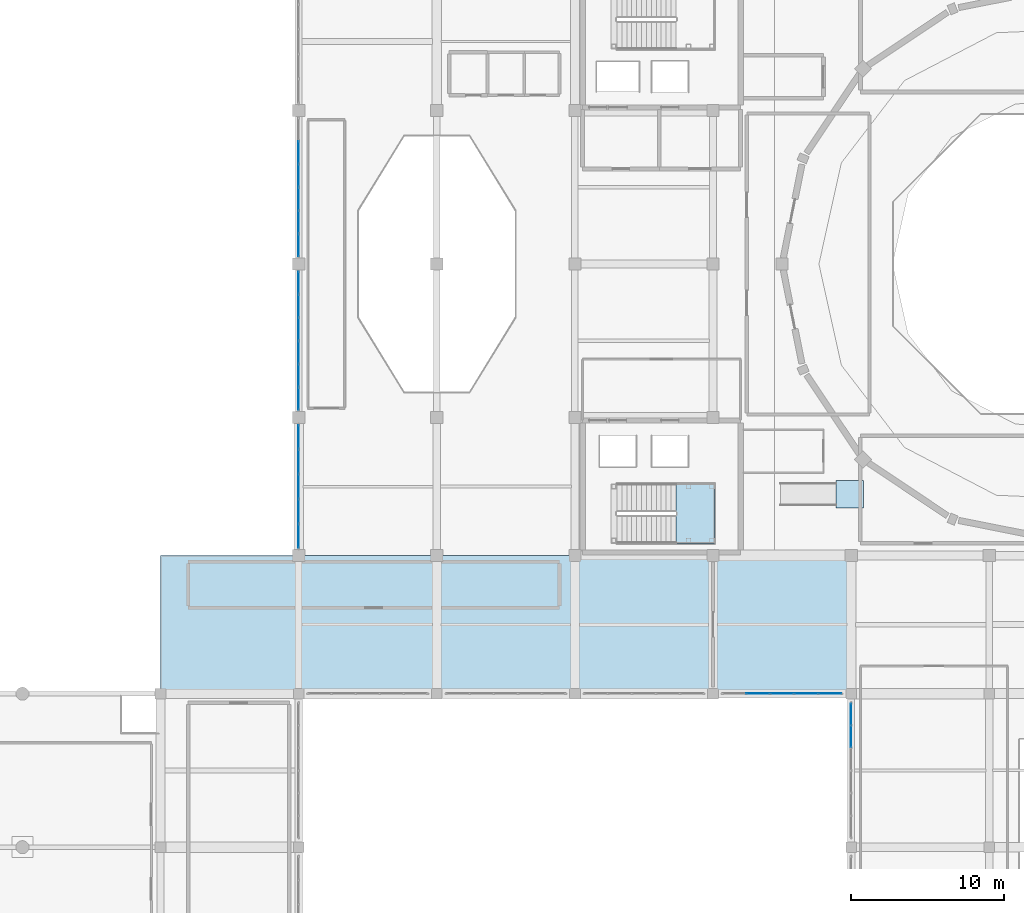
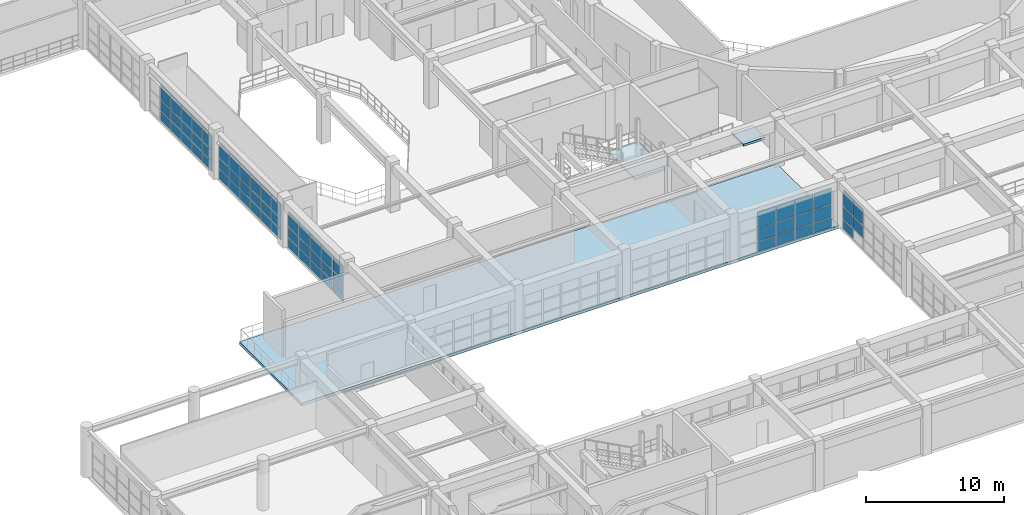
# One storey, part 92 of 133: 65 plates, 3 slabs, 7 elements without a shape of their own.
"""IFC4 building model written with IfcOpenShell, lengths in metres."""

from ifc_helpers import new_model, si_unit, direction, frame, origin, origin_2d, place, context, subcontext, project, spatial, polyline, rectangle, outline, extrude, material, layer, layer_set, type_object, element, aggregate, save


model = new_model("IFC4")

# Units and contexts
model_context = context("Model", 3, precision=1e-05, world=origin(), true_north=direction((0.0, 1.0)))
body_context = subcontext(model_context, "Body", "Model", "MODEL_VIEW")
ifc_project = project(units=[si_unit("LENGTHUNIT", "METRE"), si_unit("AREAUNIT", "SQUARE_METRE"), si_unit("VOLUMEUNIT", "CUBIC_METRE"), si_unit("PLANEANGLEUNIT", "RADIAN"), si_unit("MASSUNIT", "GRAM", prefix="KILO")], contexts=[model_context])

# Site, building, storey
site_placement = place(None, origin())
site = spatial("IfcSite", under=ifc_project, at=site_placement, CompositionType="ELEMENT")
building_placement = place(site_placement, origin())
building = spatial("IfcBuilding", under=site, at=building_placement, Name="Miravela Opera House", CompositionType="ELEMENT")
storey_placement = place(building_placement, frame((0.0, 0.0, 5.10009765625)))
storey = spatial("IfcBuildingStorey", under=building, at=storey_placement, Name="L01", CompositionType="ELEMENT", Elevation=5.10009765625)

# Curtain wall, plates
ifc_material_1 = material(Name="Anodised architectural bronze aluminium 6063-T6", Category="aluminium")
curtain_wall_type_1 = type_object("IfcCurtainWallType", Name="ARC-CW-01", PredefinedType="NOTDEFINED", material=ifc_material_1)
curtain_wall_1_placement = place(storey_placement, origin())
curtain_wall_1 = element("IfcCurtainWall", 1, at=curtain_wall_1_placement, inside=storey, type_object=curtain_wall_type_1, Name="West Foyer Upper Recessed Glazing CW-L01-003", PredefinedType="NOTDEFINED")
ifc_material_2 = material(Name="Acoustic laminated low-E insulating glass", Category="glass")
ifc_layer_1 = layer(ifc_material_2, 0.028076171875)
ifc_layer_set_1 = layer_set([ifc_layer_1])
plate_type = type_object("IfcPlateType", Name="ARC-CWP-28", PredefinedType="CURTAIN_PANEL", material=ifc_layer_set_1)
plate_1_placement = place(storey_placement, frame((27.0, 38.2763671875, 0.06494140625), z_axis=(0.0, 0.0, 1.0), x_axis=(0.0, 1.0, 0.0)))
plate_1 = element("IfcPlate", 2, at=plate_1_placement, type_object=plate_type, Name="CW-01 panel 1.1", PredefinedType="CURTAIN_PANEL", context=body_context, shape_type="SweptSolid", body=[
    extrude(rectangle(XDim=1.5224609375, YDim=0.028076171875, at=origin_2d()), origin(), (0.0, 0.0, 1.0), 0.8525390625),
])
plate_2_placement = place(storey_placement, frame((27.0, 38.2763671875, 0.982421875), z_axis=(0.0, 0.0, 1.0), x_axis=(0.0, 1.0, 0.0)))
plate_2 = element("IfcPlate", 3, at=plate_2_placement, type_object=plate_type, Name="CW-01 panel 1.2", PredefinedType="CURTAIN_PANEL", context=body_context, shape_type="SweptSolid", body=[
    extrude(rectangle(XDim=1.5224609375, YDim=0.028076171875, at=origin_2d()), origin(), (0.0, 0.0, 1.0), 0.90478515625),
])
plate_3_placement = place(storey_placement, frame((27.0, 38.2763671875, 1.9521484375), z_axis=(0.0, 0.0, 1.0), x_axis=(0.0, 1.0, 0.0)))
plate_3 = element("IfcPlate", 4, at=plate_3_placement, type_object=plate_type, Name="CW-01 panel 1.3", PredefinedType="CURTAIN_PANEL", context=body_context, shape_type="SweptSolid", body=[
    extrude(rectangle(XDim=1.5224609375, YDim=0.028076171875, at=origin_2d()), origin(), (0.0, 0.0, 1.0), 1.292724609375),
])
plate_4_placement = place(storey_placement, frame((27.0, 39.8798828125, 0.06494140625), z_axis=(0.0, 0.0, 1.0), x_axis=(0.0, 1.0, 0.0)))
plate_4 = element("IfcPlate", 5, at=plate_4_placement, type_object=plate_type, Name="CW-01 panel 2.1", PredefinedType="CURTAIN_PANEL", context=body_context, shape_type="SweptSolid", body=[
    extrude(rectangle(XDim=1.554931640625, YDim=0.028076171875, at=origin_2d()), origin(), (0.0, 0.0, 1.0), 0.8525390625),
])
plate_5_placement = place(storey_placement, frame((27.0, 39.8798828125, 0.982421875), z_axis=(0.0, 0.0, 1.0), x_axis=(0.0, 1.0, 0.0)))
plate_5 = element("IfcPlate", 6, at=plate_5_placement, type_object=plate_type, Name="CW-01 panel 2.2", PredefinedType="CURTAIN_PANEL", context=body_context, shape_type="SweptSolid", body=[
    extrude(rectangle(XDim=1.554931640625, YDim=0.028076171875, at=origin_2d()), origin(), (0.0, 0.0, 1.0), 0.90478515625),
])
plate_6_placement = place(storey_placement, frame((27.0, 39.8798828125, 1.9521484375), z_axis=(0.0, 0.0, 1.0), x_axis=(0.0, 1.0, 0.0)))
plate_6 = element("IfcPlate", 7, at=plate_6_placement, type_object=plate_type, Name="CW-01 panel 2.3", PredefinedType="CURTAIN_PANEL", context=body_context, shape_type="SweptSolid", body=[
    extrude(rectangle(XDim=1.554931640625, YDim=0.028076171875, at=origin_2d()), origin(), (0.0, 0.0, 1.0), 1.292724609375),
])
plate_7_placement = place(storey_placement, frame((27.0, 41.5, 0.06494140625), z_axis=(0.0, 0.0, 1.0), x_axis=(0.0, 1.0, 0.0)))
plate_7 = element("IfcPlate", 8, at=plate_7_placement, type_object=plate_type, Name="CW-01 panel 3.1", PredefinedType="CURTAIN_PANEL", context=body_context, shape_type="SweptSolid", body=[
    extrude(rectangle(XDim=1.554931640625, YDim=0.028076171875, at=origin_2d()), origin(), (0.0, 0.0, 1.0), 0.8525390625),
])
plate_8_placement = place(storey_placement, frame((27.0, 41.5, 0.982421875), z_axis=(0.0, 0.0, 1.0), x_axis=(0.0, 1.0, 0.0)))
plate_8 = element("IfcPlate", 9, at=plate_8_placement, type_object=plate_type, Name="CW-01 panel 3.2", PredefinedType="CURTAIN_PANEL", context=body_context, shape_type="SweptSolid", body=[
    extrude(rectangle(XDim=1.554931640625, YDim=0.028076171875, at=origin_2d()), origin(), (0.0, 0.0, 1.0), 0.90478515625),
])
plate_9_placement = place(storey_placement, frame((27.0, 41.5, 1.9521484375), z_axis=(0.0, 0.0, 1.0), x_axis=(0.0, 1.0, 0.0)))
plate_9 = element("IfcPlate", 10, at=plate_9_placement, type_object=plate_type, Name="CW-01 panel 3.3", PredefinedType="CURTAIN_PANEL", context=body_context, shape_type="SweptSolid", body=[
    extrude(rectangle(XDim=1.554931640625, YDim=0.028076171875, at=origin_2d()), origin(), (0.0, 0.0, 1.0), 1.292724609375),
])
plate_10_placement = place(storey_placement, frame((27.0, 43.1201171875, 0.06494140625), z_axis=(0.0, 0.0, 1.0), x_axis=(0.0, 1.0, 0.0)))
plate_10 = element("IfcPlate", 11, at=plate_10_placement, type_object=plate_type, Name="CW-01 panel 4.1", PredefinedType="CURTAIN_PANEL", context=body_context, shape_type="SweptSolid", body=[
    extrude(rectangle(XDim=1.554931640625, YDim=0.028076171875, at=origin_2d()), origin(), (0.0, 0.0, 1.0), 0.8525390625),
])
plate_11_placement = place(storey_placement, frame((27.0, 43.1201171875, 0.982421875), z_axis=(0.0, 0.0, 1.0), x_axis=(0.0, 1.0, 0.0)))
plate_11 = element("IfcPlate", 12, at=plate_11_placement, type_object=plate_type, Name="CW-01 panel 4.2", PredefinedType="CURTAIN_PANEL", context=body_context, shape_type="SweptSolid", body=[
    extrude(rectangle(XDim=1.554931640625, YDim=0.028076171875, at=origin_2d()), origin(), (0.0, 0.0, 1.0), 0.90478515625),
])
plate_12_placement = place(storey_placement, frame((27.0, 43.1201171875, 1.9521484375), z_axis=(0.0, 0.0, 1.0), x_axis=(0.0, 1.0, 0.0)))
plate_12 = element("IfcPlate", 13, at=plate_12_placement, type_object=plate_type, Name="CW-01 panel 4.3", PredefinedType="CURTAIN_PANEL", context=body_context, shape_type="SweptSolid", body=[
    extrude(rectangle(XDim=1.554931640625, YDim=0.028076171875, at=origin_2d()), origin(), (0.0, 0.0, 1.0), 1.292724609375),
])
plate_13_placement = place(storey_placement, frame((27.0, 44.7236328125, 0.06494140625), z_axis=(0.0, 0.0, 1.0), x_axis=(0.0, 1.0, 0.0)))
plate_13 = element("IfcPlate", 14, at=plate_13_placement, type_object=plate_type, Name="CW-01 panel 5.1", PredefinedType="CURTAIN_PANEL", context=body_context, shape_type="SweptSolid", body=[
    extrude(rectangle(XDim=1.5224609375, YDim=0.028076171875, at=origin_2d()), origin(), (0.0, 0.0, 1.0), 0.8525390625),
])
plate_14_placement = place(storey_placement, frame((27.0, 44.7236328125, 0.982421875), z_axis=(0.0, 0.0, 1.0), x_axis=(0.0, 1.0, 0.0)))
plate_14 = element("IfcPlate", 15, at=plate_14_placement, type_object=plate_type, Name="CW-01 panel 5.2", PredefinedType="CURTAIN_PANEL", context=body_context, shape_type="SweptSolid", body=[
    extrude(rectangle(XDim=1.5224609375, YDim=0.028076171875, at=origin_2d()), origin(), (0.0, 0.0, 1.0), 0.90478515625),
])
plate_15_placement = place(storey_placement, frame((27.0, 44.7236328125, 1.9521484375), z_axis=(0.0, 0.0, 1.0), x_axis=(0.0, 1.0, 0.0)))
plate_15 = element("IfcPlate", 16, at=plate_15_placement, type_object=plate_type, Name="CW-01 panel 5.3", PredefinedType="CURTAIN_PANEL", context=body_context, shape_type="SweptSolid", body=[
    extrude(rectangle(XDim=1.5224609375, YDim=0.028076171875, at=origin_2d()), origin(), (0.0, 0.0, 1.0), 1.292724609375),
])
aggregate(curtain_wall_1, [plate_1, plate_2, plate_3, plate_4, plate_5, plate_6, plate_7, plate_8, plate_9, plate_10, plate_11, plate_12, plate_13, plate_14, plate_15])

curtain_wall_2_placement = place(storey_placement, origin())
curtain_wall_2 = element("IfcCurtainWall", 17, at=curtain_wall_2_placement, inside=storey, type_object=curtain_wall_type_1, Name="West Foyer Upper Recessed Glazing CW-L01-004", PredefinedType="NOTDEFINED")
plate_16_placement = place(storey_placement, frame((27.0, 47.224609375, 0.06494140625), z_axis=(0.0, 0.0, 1.0), x_axis=(0.0, 1.0, 0.0)))
plate_16 = element("IfcPlate", 18, at=plate_16_placement, type_object=plate_type, Name="CW-01 panel 1.1", PredefinedType="CURTAIN_PANEL", context=body_context, shape_type="SweptSolid", body=[
    extrude(rectangle(XDim=1.419189453125, YDim=0.028076171875, at=origin_2d()), origin(), (0.0, 0.0, 1.0), 0.8525390625),
])
plate_17_placement = place(storey_placement, frame((27.0, 47.224609375, 0.982421875), z_axis=(0.0, 0.0, 1.0), x_axis=(0.0, 1.0, 0.0)))
plate_17 = element("IfcPlate", 19, at=plate_17_placement, type_object=plate_type, Name="CW-01 panel 1.2", PredefinedType="CURTAIN_PANEL", context=body_context, shape_type="SweptSolid", body=[
    extrude(rectangle(XDim=1.419189453125, YDim=0.028076171875, at=origin_2d()), origin(), (0.0, 0.0, 1.0), 0.90478515625),
])
plate_18_placement = place(storey_placement, frame((27.0, 47.224609375, 1.9521484375), z_axis=(0.0, 0.0, 1.0), x_axis=(0.0, 1.0, 0.0)))
plate_18 = element("IfcPlate", 20, at=plate_18_placement, type_object=plate_type, Name="CW-01 panel 1.3", PredefinedType="CURTAIN_PANEL", context=body_context, shape_type="SweptSolid", body=[
    extrude(rectangle(XDim=1.419189453125, YDim=0.028076171875, at=origin_2d()), origin(), (0.0, 0.0, 1.0), 1.292724609375),
])
plate_19_placement = place(storey_placement, frame((27.0, 48.72509765625, 0.06494140625), z_axis=(0.0, 0.0, 1.0), x_axis=(0.0, 1.0, 0.0)))
plate_19 = element("IfcPlate", 21, at=plate_19_placement, type_object=plate_type, Name="CW-01 panel 2.1", PredefinedType="CURTAIN_PANEL", context=body_context, shape_type="SweptSolid", body=[
    extrude(rectangle(XDim=1.45166015625, YDim=0.028076171875, at=origin_2d()), origin(), (0.0, 0.0, 1.0), 0.8525390625),
])
plate_20_placement = place(storey_placement, frame((27.0, 48.72509765625, 0.982421875), z_axis=(0.0, 0.0, 1.0), x_axis=(0.0, 1.0, 0.0)))
plate_20 = element("IfcPlate", 22, at=plate_20_placement, type_object=plate_type, Name="CW-01 panel 2.2", PredefinedType="CURTAIN_PANEL", context=body_context, shape_type="SweptSolid", body=[
    extrude(rectangle(XDim=1.45166015625, YDim=0.028076171875, at=origin_2d()), origin(), (0.0, 0.0, 1.0), 0.90478515625),
])
plate_21_placement = place(storey_placement, frame((27.0, 48.72509765625, 1.9521484375), z_axis=(0.0, 0.0, 1.0), x_axis=(0.0, 1.0, 0.0)))
plate_21 = element("IfcPlate", 23, at=plate_21_placement, type_object=plate_type, Name="CW-01 panel 2.3", PredefinedType="CURTAIN_PANEL", context=body_context, shape_type="SweptSolid", body=[
    extrude(rectangle(XDim=1.45166015625, YDim=0.028076171875, at=origin_2d()), origin(), (0.0, 0.0, 1.0), 1.292724609375),
])
plate_22_placement = place(storey_placement, frame((27.0, 50.24169921875, 0.06494140625), z_axis=(0.0, 0.0, 1.0), x_axis=(0.0, 1.0, 0.0)))
plate_22 = element("IfcPlate", 24, at=plate_22_placement, type_object=plate_type, Name="CW-01 panel 3.1", PredefinedType="CURTAIN_PANEL", context=body_context, shape_type="SweptSolid", body=[
    extrude(rectangle(XDim=1.45166015625, YDim=0.028076171875, at=origin_2d()), origin(), (0.0, 0.0, 1.0), 0.8525390625),
])
plate_23_placement = place(storey_placement, frame((27.0, 50.24169921875, 0.982421875), z_axis=(0.0, 0.0, 1.0), x_axis=(0.0, 1.0, 0.0)))
plate_23 = element("IfcPlate", 25, at=plate_23_placement, type_object=plate_type, Name="CW-01 panel 3.2", PredefinedType="CURTAIN_PANEL", context=body_context, shape_type="SweptSolid", body=[
    extrude(rectangle(XDim=1.45166015625, YDim=0.028076171875, at=origin_2d()), origin(), (0.0, 0.0, 1.0), 0.90478515625),
])
plate_24_placement = place(storey_placement, frame((27.0, 50.24169921875, 1.9521484375), z_axis=(0.0, 0.0, 1.0), x_axis=(0.0, 1.0, 0.0)))
plate_24 = element("IfcPlate", 26, at=plate_24_placement, type_object=plate_type, Name="CW-01 panel 3.3", PredefinedType="CURTAIN_PANEL", context=body_context, shape_type="SweptSolid", body=[
    extrude(rectangle(XDim=1.45166015625, YDim=0.028076171875, at=origin_2d()), origin(), (0.0, 0.0, 1.0), 1.292724609375),
])
plate_25_placement = place(storey_placement, frame((27.0, 51.75830078125, 0.06494140625), z_axis=(0.0, 0.0, 1.0), x_axis=(0.0, 1.0, 0.0)))
plate_25 = element("IfcPlate", 27, at=plate_25_placement, type_object=plate_type, Name="CW-01 panel 4.1", PredefinedType="CURTAIN_PANEL", context=body_context, shape_type="SweptSolid", body=[
    extrude(rectangle(XDim=1.45166015625, YDim=0.028076171875, at=origin_2d()), origin(), (0.0, 0.0, 1.0), 0.8525390625),
])
plate_26_placement = place(storey_placement, frame((27.0, 51.75830078125, 0.982421875), z_axis=(0.0, 0.0, 1.0), x_axis=(0.0, 1.0, 0.0)))
plate_26 = element("IfcPlate", 28, at=plate_26_placement, type_object=plate_type, Name="CW-01 panel 4.2", PredefinedType="CURTAIN_PANEL", context=body_context, shape_type="SweptSolid", body=[
    extrude(rectangle(XDim=1.45166015625, YDim=0.028076171875, at=origin_2d()), origin(), (0.0, 0.0, 1.0), 0.90478515625),
])
plate_27_placement = place(storey_placement, frame((27.0, 51.75830078125, 1.9521484375), z_axis=(0.0, 0.0, 1.0), x_axis=(0.0, 1.0, 0.0)))
plate_27 = element("IfcPlate", 29, at=plate_27_placement, type_object=plate_type, Name="CW-01 panel 4.3", PredefinedType="CURTAIN_PANEL", context=body_context, shape_type="SweptSolid", body=[
    extrude(rectangle(XDim=1.45166015625, YDim=0.028076171875, at=origin_2d()), origin(), (0.0, 0.0, 1.0), 1.292724609375),
])
plate_28_placement = place(storey_placement, frame((27.0, 53.27490234375, 0.06494140625), z_axis=(0.0, 0.0, 1.0), x_axis=(0.0, 1.0, 0.0)))
plate_28 = element("IfcPlate", 30, at=plate_28_placement, type_object=plate_type, Name="CW-01 panel 5.1", PredefinedType="CURTAIN_PANEL", context=body_context, shape_type="SweptSolid", body=[
    extrude(rectangle(XDim=1.45166015625, YDim=0.028076171875, at=origin_2d()), origin(), (0.0, 0.0, 1.0), 0.8525390625),
])
plate_29_placement = place(storey_placement, frame((27.0, 53.27490234375, 0.982421875), z_axis=(0.0, 0.0, 1.0), x_axis=(0.0, 1.0, 0.0)))
plate_29 = element("IfcPlate", 31, at=plate_29_placement, type_object=plate_type, Name="CW-01 panel 5.2", PredefinedType="CURTAIN_PANEL", context=body_context, shape_type="SweptSolid", body=[
    extrude(rectangle(XDim=1.45166015625, YDim=0.028076171875, at=origin_2d()), origin(), (0.0, 0.0, 1.0), 0.90478515625),
])
plate_30_placement = place(storey_placement, frame((27.0, 53.27490234375, 1.9521484375), z_axis=(0.0, 0.0, 1.0), x_axis=(0.0, 1.0, 0.0)))
plate_30 = element("IfcPlate", 32, at=plate_30_placement, type_object=plate_type, Name="CW-01 panel 5.3", PredefinedType="CURTAIN_PANEL", context=body_context, shape_type="SweptSolid", body=[
    extrude(rectangle(XDim=1.45166015625, YDim=0.028076171875, at=origin_2d()), origin(), (0.0, 0.0, 1.0), 1.292724609375),
])
plate_31_placement = place(storey_placement, frame((27.0, 54.775390625, 0.06494140625), z_axis=(0.0, 0.0, 1.0), x_axis=(0.0, 1.0, 0.0)))
plate_31 = element("IfcPlate", 33, at=plate_31_placement, type_object=plate_type, Name="CW-01 panel 6.1", PredefinedType="CURTAIN_PANEL", context=body_context, shape_type="SweptSolid", body=[
    extrude(rectangle(XDim=1.419189453125, YDim=0.028076171875, at=origin_2d()), origin(), (0.0, 0.0, 1.0), 0.8525390625),
])
plate_32_placement = place(storey_placement, frame((27.0, 54.775390625, 0.982421875), z_axis=(0.0, 0.0, 1.0), x_axis=(0.0, 1.0, 0.0)))
plate_32 = element("IfcPlate", 34, at=plate_32_placement, type_object=plate_type, Name="CW-01 panel 6.2", PredefinedType="CURTAIN_PANEL", context=body_context, shape_type="SweptSolid", body=[
    extrude(rectangle(XDim=1.419189453125, YDim=0.028076171875, at=origin_2d()), origin(), (0.0, 0.0, 1.0), 0.90478515625),
])
plate_33_placement = place(storey_placement, frame((27.0, 54.775390625, 1.9521484375), z_axis=(0.0, 0.0, 1.0), x_axis=(0.0, 1.0, 0.0)))
plate_33 = element("IfcPlate", 35, at=plate_33_placement, type_object=plate_type, Name="CW-01 panel 6.3", PredefinedType="CURTAIN_PANEL", context=body_context, shape_type="SweptSolid", body=[
    extrude(rectangle(XDim=1.419189453125, YDim=0.028076171875, at=origin_2d()), origin(), (0.0, 0.0, 1.0), 1.292724609375),
])
aggregate(curtain_wall_2, [plate_16, plate_17, plate_18, plate_19, plate_20, plate_21, plate_22, plate_23, plate_24, plate_25, plate_26, plate_27, plate_28, plate_29, plate_30, plate_31, plate_32, plate_33])

curtain_wall_3_placement = place(storey_placement, origin())
curtain_wall_3 = element("IfcCurtainWall", 36, at=curtain_wall_3_placement, inside=storey, type_object=curtain_wall_type_1, Name="West Foyer Upper Recessed Glazing CW-L01-005", PredefinedType="NOTDEFINED")
plate_34_placement = place(storey_placement, frame((27.0, 57.224609375, 0.06494140625), z_axis=(0.0, 0.0, 1.0), x_axis=(0.0, 1.0, 0.0)))
plate_34 = element("IfcPlate", 37, at=plate_34_placement, type_object=plate_type, Name="CW-01 panel 1.1", PredefinedType="CURTAIN_PANEL", context=body_context, shape_type="SweptSolid", body=[
    extrude(rectangle(XDim=1.419189453125, YDim=0.028076171875, at=origin_2d()), origin(), (0.0, 0.0, 1.0), 0.8525390625),
])
plate_35_placement = place(storey_placement, frame((27.0, 57.224609375, 0.982421875), z_axis=(0.0, 0.0, 1.0), x_axis=(0.0, 1.0, 0.0)))
plate_35 = element("IfcPlate", 38, at=plate_35_placement, type_object=plate_type, Name="CW-01 panel 1.2", PredefinedType="CURTAIN_PANEL", context=body_context, shape_type="SweptSolid", body=[
    extrude(rectangle(XDim=1.419189453125, YDim=0.028076171875, at=origin_2d()), origin(), (0.0, 0.0, 1.0), 0.90478515625),
])
plate_36_placement = place(storey_placement, frame((27.0, 57.224609375, 1.9521484375), z_axis=(0.0, 0.0, 1.0), x_axis=(0.0, 1.0, 0.0)))
plate_36 = element("IfcPlate", 39, at=plate_36_placement, type_object=plate_type, Name="CW-01 panel 1.3", PredefinedType="CURTAIN_PANEL", context=body_context, shape_type="SweptSolid", body=[
    extrude(rectangle(XDim=1.419189453125, YDim=0.028076171875, at=origin_2d()), origin(), (0.0, 0.0, 1.0), 1.292724609375),
])
plate_37_placement = place(storey_placement, frame((27.0, 58.72509765625, 0.06494140625), z_axis=(0.0, 0.0, 1.0), x_axis=(0.0, 1.0, 0.0)))
plate_37 = element("IfcPlate", 40, at=plate_37_placement, type_object=plate_type, Name="CW-01 panel 2.1", PredefinedType="CURTAIN_PANEL", context=body_context, shape_type="SweptSolid", body=[
    extrude(rectangle(XDim=1.45166015625, YDim=0.028076171875, at=origin_2d()), origin(), (0.0, 0.0, 1.0), 0.8525390625),
])
plate_38_placement = place(storey_placement, frame((27.0, 58.72509765625, 0.982421875), z_axis=(0.0, 0.0, 1.0), x_axis=(0.0, 1.0, 0.0)))
plate_38 = element("IfcPlate", 41, at=plate_38_placement, type_object=plate_type, Name="CW-01 panel 2.2", PredefinedType="CURTAIN_PANEL", context=body_context, shape_type="SweptSolid", body=[
    extrude(rectangle(XDim=1.45166015625, YDim=0.028076171875, at=origin_2d()), origin(), (0.0, 0.0, 1.0), 0.90478515625),
])
plate_39_placement = place(storey_placement, frame((27.0, 58.72509765625, 1.9521484375), z_axis=(0.0, 0.0, 1.0), x_axis=(0.0, 1.0, 0.0)))
plate_39 = element("IfcPlate", 42, at=plate_39_placement, type_object=plate_type, Name="CW-01 panel 2.3", PredefinedType="CURTAIN_PANEL", context=body_context, shape_type="SweptSolid", body=[
    extrude(rectangle(XDim=1.45166015625, YDim=0.028076171875, at=origin_2d()), origin(), (0.0, 0.0, 1.0), 1.292724609375),
])
plate_40_placement = place(storey_placement, frame((27.0, 60.24169921875, 0.06494140625), z_axis=(0.0, 0.0, 1.0), x_axis=(0.0, 1.0, 0.0)))
plate_40 = element("IfcPlate", 43, at=plate_40_placement, type_object=plate_type, Name="CW-01 panel 3.1", PredefinedType="CURTAIN_PANEL", context=body_context, shape_type="SweptSolid", body=[
    extrude(rectangle(XDim=1.45166015625, YDim=0.028076171875, at=origin_2d()), origin(), (0.0, 0.0, 1.0), 0.8525390625),
])
plate_41_placement = place(storey_placement, frame((27.0, 60.24169921875, 0.982421875), z_axis=(0.0, 0.0, 1.0), x_axis=(0.0, 1.0, 0.0)))
plate_41 = element("IfcPlate", 44, at=plate_41_placement, type_object=plate_type, Name="CW-01 panel 3.2", PredefinedType="CURTAIN_PANEL", context=body_context, shape_type="SweptSolid", body=[
    extrude(rectangle(XDim=1.45166015625, YDim=0.028076171875, at=origin_2d()), origin(), (0.0, 0.0, 1.0), 0.90478515625),
])
plate_42_placement = place(storey_placement, frame((27.0, 60.24169921875, 1.9521484375), z_axis=(0.0, 0.0, 1.0), x_axis=(0.0, 1.0, 0.0)))
plate_42 = element("IfcPlate", 45, at=plate_42_placement, type_object=plate_type, Name="CW-01 panel 3.3", PredefinedType="CURTAIN_PANEL", context=body_context, shape_type="SweptSolid", body=[
    extrude(rectangle(XDim=1.45166015625, YDim=0.028076171875, at=origin_2d()), origin(), (0.0, 0.0, 1.0), 1.292724609375),
])
plate_43_placement = place(storey_placement, frame((27.0, 61.75830078125, 0.06494140625), z_axis=(0.0, 0.0, 1.0), x_axis=(0.0, 1.0, 0.0)))
plate_43 = element("IfcPlate", 46, at=plate_43_placement, type_object=plate_type, Name="CW-01 panel 4.1", PredefinedType="CURTAIN_PANEL", context=body_context, shape_type="SweptSolid", body=[
    extrude(rectangle(XDim=1.45166015625, YDim=0.028076171875, at=origin_2d()), origin(), (0.0, 0.0, 1.0), 0.8525390625),
])
plate_44_placement = place(storey_placement, frame((27.0, 61.75830078125, 0.982421875), z_axis=(0.0, 0.0, 1.0), x_axis=(0.0, 1.0, 0.0)))
plate_44 = element("IfcPlate", 47, at=plate_44_placement, type_object=plate_type, Name="CW-01 panel 4.2", PredefinedType="CURTAIN_PANEL", context=body_context, shape_type="SweptSolid", body=[
    extrude(rectangle(XDim=1.45166015625, YDim=0.028076171875, at=origin_2d()), origin(), (0.0, 0.0, 1.0), 0.90478515625),
])
plate_45_placement = place(storey_placement, frame((27.0, 61.75830078125, 1.9521484375), z_axis=(0.0, 0.0, 1.0), x_axis=(0.0, 1.0, 0.0)))
plate_45 = element("IfcPlate", 48, at=plate_45_placement, type_object=plate_type, Name="CW-01 panel 4.3", PredefinedType="CURTAIN_PANEL", context=body_context, shape_type="SweptSolid", body=[
    extrude(rectangle(XDim=1.45166015625, YDim=0.028076171875, at=origin_2d()), origin(), (0.0, 0.0, 1.0), 1.292724609375),
])
plate_46_placement = place(storey_placement, frame((27.0, 63.27490234375, 0.06494140625), z_axis=(0.0, 0.0, 1.0), x_axis=(0.0, 1.0, 0.0)))
plate_46 = element("IfcPlate", 49, at=plate_46_placement, type_object=plate_type, Name="CW-01 panel 5.1", PredefinedType="CURTAIN_PANEL", context=body_context, shape_type="SweptSolid", body=[
    extrude(rectangle(XDim=1.45166015625, YDim=0.028076171875, at=origin_2d()), origin(), (0.0, 0.0, 1.0), 0.8525390625),
])
plate_47_placement = place(storey_placement, frame((27.0, 63.27490234375, 0.982421875), z_axis=(0.0, 0.0, 1.0), x_axis=(0.0, 1.0, 0.0)))
plate_47 = element("IfcPlate", 50, at=plate_47_placement, type_object=plate_type, Name="CW-01 panel 5.2", PredefinedType="CURTAIN_PANEL", context=body_context, shape_type="SweptSolid", body=[
    extrude(rectangle(XDim=1.45166015625, YDim=0.028076171875, at=origin_2d()), origin(), (0.0, 0.0, 1.0), 0.90478515625),
])
plate_48_placement = place(storey_placement, frame((27.0, 63.27490234375, 1.9521484375), z_axis=(0.0, 0.0, 1.0), x_axis=(0.0, 1.0, 0.0)))
plate_48 = element("IfcPlate", 51, at=plate_48_placement, type_object=plate_type, Name="CW-01 panel 5.3", PredefinedType="CURTAIN_PANEL", context=body_context, shape_type="SweptSolid", body=[
    extrude(rectangle(XDim=1.45166015625, YDim=0.028076171875, at=origin_2d()), origin(), (0.0, 0.0, 1.0), 1.292724609375),
])
aggregate(curtain_wall_3, [plate_34, plate_35, plate_36, plate_37, plate_38, plate_39, plate_40, plate_41, plate_42, plate_43, plate_44, plate_45, plate_46, plate_47, plate_48])

curtain_wall_type_2 = type_object("IfcCurtainWallType", Name="ARC-CW-06", PredefinedType="NOTDEFINED", material=ifc_material_1)
curtain_wall_4_placement = place(storey_placement, origin())
curtain_wall_4 = element("IfcCurtainWall", 52, at=curtain_wall_4_placement, inside=storey, type_object=curtain_wall_type_2, Name="Courtyard Arcade Curtain Wall CW-L01-130", PredefinedType="NOTDEFINED")
plate_49_placement = place(storey_placement, frame((56.931884765625, 28.0, 0.06005859375), z_axis=(0.0, 0.0, 1.0), x_axis=(1.0, 0.0, 0.0)))
plate_49 = element("IfcPlate", 53, at=plate_49_placement, type_object=plate_type, Name="CW-06 panel 2.1", PredefinedType="CURTAIN_PANEL", context=body_context, shape_type="SweptSolid", body=[
    extrude(rectangle(XDim=1.508056640625, YDim=0.028076171875, at=origin_2d()), origin(), (0.0, 0.0, 1.0), 0.860107421875),
])
plate_50_placement = place(storey_placement, frame((56.931884765625, 28.0, 0.97998046875), z_axis=(0.0, 0.0, 1.0), x_axis=(1.0, 0.0, 0.0)))
plate_50 = element("IfcPlate", 54, at=plate_50_placement, type_object=plate_type, Name="CW-06 panel 2.2", PredefinedType="CURTAIN_PANEL", context=body_context, shape_type="SweptSolid", body=[
    extrude(rectangle(XDim=1.508056640625, YDim=0.028076171875, at=origin_2d()), origin(), (0.0, 0.0, 1.0), 1.083740234375),
])
plate_51_placement = place(storey_placement, frame((56.931884765625, 28.0, 2.123779296875), z_axis=(0.0, 0.0, 1.0), x_axis=(1.0, 0.0, 0.0)))
plate_51 = element("IfcPlate", 55, at=plate_51_placement, type_object=plate_type, Name="CW-06 panel 2.3", PredefinedType="CURTAIN_PANEL", context=body_context, shape_type="SweptSolid", body=[
    extrude(rectangle(XDim=1.508056640625, YDim=0.028076171875, at=origin_2d()), origin(), (0.0, 0.0, 1.0), 1.42626953125),
])
plate_52_placement = place(storey_placement, frame((58.5, 28.0, 0.06005859375), z_axis=(0.0, 0.0, 1.0), x_axis=(1.0, 0.0, 0.0)))
plate_52 = element("IfcPlate", 56, at=plate_52_placement, type_object=plate_type, Name="CW-06 panel 3.1", PredefinedType="CURTAIN_PANEL", context=body_context, shape_type="SweptSolid", body=[
    extrude(rectangle(XDim=1.508056640625, YDim=0.028076171875, at=origin_2d()), origin(), (0.0, 0.0, 1.0), 0.860107421875),
])
plate_53_placement = place(storey_placement, frame((58.5, 28.0, 0.97998046875), z_axis=(0.0, 0.0, 1.0), x_axis=(1.0, 0.0, 0.0)))
plate_53 = element("IfcPlate", 57, at=plate_53_placement, type_object=plate_type, Name="CW-06 panel 3.2", PredefinedType="CURTAIN_PANEL", context=body_context, shape_type="SweptSolid", body=[
    extrude(rectangle(XDim=1.508056640625, YDim=0.028076171875, at=origin_2d()), origin(), (0.0, 0.0, 1.0), 1.083740234375),
])
plate_54_placement = place(storey_placement, frame((58.5, 28.0, 2.123779296875), z_axis=(0.0, 0.0, 1.0), x_axis=(1.0, 0.0, 0.0)))
plate_54 = element("IfcPlate", 58, at=plate_54_placement, type_object=plate_type, Name="CW-06 panel 3.3", PredefinedType="CURTAIN_PANEL", context=body_context, shape_type="SweptSolid", body=[
    extrude(rectangle(XDim=1.508056640625, YDim=0.028076171875, at=origin_2d()), origin(), (0.0, 0.0, 1.0), 1.42626953125),
])
plate_55_placement = place(storey_placement, frame((60.068115234375, 28.0, 0.06005859375), z_axis=(0.0, 0.0, 1.0), x_axis=(1.0, 0.0, 0.0)))
plate_55 = element("IfcPlate", 59, at=plate_55_placement, type_object=plate_type, Name="CW-06 panel 4.1", PredefinedType="CURTAIN_PANEL", context=body_context, shape_type="SweptSolid", body=[
    extrude(rectangle(XDim=1.508056640625, YDim=0.028076171875, at=origin_2d()), origin(), (0.0, 0.0, 1.0), 0.860107421875),
])
plate_56_placement = place(storey_placement, frame((60.068115234375, 28.0, 0.97998046875), z_axis=(0.0, 0.0, 1.0), x_axis=(1.0, 0.0, 0.0)))
plate_56 = element("IfcPlate", 60, at=plate_56_placement, type_object=plate_type, Name="CW-06 panel 4.2", PredefinedType="CURTAIN_PANEL", context=body_context, shape_type="SweptSolid", body=[
    extrude(rectangle(XDim=1.508056640625, YDim=0.028076171875, at=origin_2d()), origin(), (0.0, 0.0, 1.0), 1.083740234375),
])
plate_57_placement = place(storey_placement, frame((60.068115234375, 28.0, 2.123779296875), z_axis=(0.0, 0.0, 1.0), x_axis=(1.0, 0.0, 0.0)))
plate_57 = element("IfcPlate", 61, at=plate_57_placement, type_object=plate_type, Name="CW-06 panel 4.3", PredefinedType="CURTAIN_PANEL", context=body_context, shape_type="SweptSolid", body=[
    extrude(rectangle(XDim=1.508056640625, YDim=0.028076171875, at=origin_2d()), origin(), (0.0, 0.0, 1.0), 1.42626953125),
])
plate_58_placement = place(storey_placement, frame((61.62109375, 28.0, 0.06005859375), z_axis=(0.0, 0.0, 1.0), x_axis=(1.0, 0.0, 0.0)))
plate_58 = element("IfcPlate", 62, at=plate_58_placement, type_object=plate_type, Name="CW-06 panel 5.1", PredefinedType="CURTAIN_PANEL", context=body_context, shape_type="SweptSolid", body=[
    extrude(rectangle(XDim=1.47802734375, YDim=0.028076171875, at=origin_2d()), origin(), (0.0, 0.0, 1.0), 0.860107421875),
])
plate_59_placement = place(storey_placement, frame((61.62109375, 28.0, 0.97998046875), z_axis=(0.0, 0.0, 1.0), x_axis=(1.0, 0.0, 0.0)))
plate_59 = element("IfcPlate", 63, at=plate_59_placement, type_object=plate_type, Name="CW-06 panel 5.2", PredefinedType="CURTAIN_PANEL", context=body_context, shape_type="SweptSolid", body=[
    extrude(rectangle(XDim=1.47802734375, YDim=0.028076171875, at=origin_2d()), origin(), (0.0, 0.0, 1.0), 1.083740234375),
])
plate_60_placement = place(storey_placement, frame((61.62109375, 28.0, 2.123779296875), z_axis=(0.0, 0.0, 1.0), x_axis=(1.0, 0.0, 0.0)))
plate_60 = element("IfcPlate", 64, at=plate_60_placement, type_object=plate_type, Name="CW-06 panel 5.3", PredefinedType="CURTAIN_PANEL", context=body_context, shape_type="SweptSolid", body=[
    extrude(rectangle(XDim=1.47802734375, YDim=0.028076171875, at=origin_2d()), origin(), (0.0, 0.0, 1.0), 1.42626953125),
])
aggregate(curtain_wall_4, [plate_49, plate_50, plate_51, plate_52, plate_53, plate_54, plate_55, plate_56, plate_57, plate_58, plate_59, plate_60])

curtain_wall_5_placement = place(storey_placement, origin())
curtain_wall_5 = element("IfcCurtainWall", 65, at=curtain_wall_5_placement, inside=storey, type_object=curtain_wall_type_2, Name="Courtyard Arcade Curtain Wall CW-L01-135", PredefinedType="NOTDEFINED")
plate_61_placement = place(storey_placement, frame((63.0, 25.2099609375, 0.97998046875), z_axis=(0.0, 0.0, 1.0), x_axis=(0.0, 1.0, 0.0)))
plate_61 = element("IfcPlate", 66, at=plate_61_placement, type_object=plate_type, Name="CW-06 panel 5.2", PredefinedType="CURTAIN_PANEL", context=body_context, shape_type="SweptSolid", body=[
    extrude(rectangle(XDim=1.413330078125, YDim=0.028076171875, at=origin_2d()), origin(), (0.0, 0.0, 1.0), 1.083740234375),
])
plate_62_placement = place(storey_placement, frame((63.0, 25.2099609375, 2.123779296875), z_axis=(0.0, 0.0, 1.0), x_axis=(0.0, 1.0, 0.0)))
plate_62 = element("IfcPlate", 67, at=plate_62_placement, type_object=plate_type, Name="CW-06 panel 5.3", PredefinedType="CURTAIN_PANEL", context=body_context, shape_type="SweptSolid", body=[
    extrude(rectangle(XDim=1.413330078125, YDim=0.028076171875, at=origin_2d()), origin(), (0.0, 0.0, 1.0), 1.42626953125),
])
plate_63_placement = place(storey_placement, frame((63.0, 26.668212890625, 0.06005859375), z_axis=(0.0, 0.0, 1.0), x_axis=(0.0, 1.0, 0.0)))
plate_63 = element("IfcPlate", 68, at=plate_63_placement, type_object=plate_type, Name="CW-06 panel 6.1", PredefinedType="CURTAIN_PANEL", context=body_context, shape_type="SweptSolid", body=[
    extrude(rectangle(XDim=1.38330078125, YDim=0.028076171875, at=origin_2d()), origin(), (0.0, 0.0, 1.0), 0.860107421875),
])
plate_64_placement = place(storey_placement, frame((63.0, 26.668212890625, 0.97998046875), z_axis=(0.0, 0.0, 1.0), x_axis=(0.0, 1.0, 0.0)))
plate_64 = element("IfcPlate", 69, at=plate_64_placement, type_object=plate_type, Name="CW-06 panel 6.2", PredefinedType="CURTAIN_PANEL", context=body_context, shape_type="SweptSolid", body=[
    extrude(rectangle(XDim=1.38330078125, YDim=0.028076171875, at=origin_2d()), origin(), (0.0, 0.0, 1.0), 1.083740234375),
])
plate_65_placement = place(storey_placement, frame((63.0, 26.668212890625, 2.123779296875), z_axis=(0.0, 0.0, 1.0), x_axis=(0.0, 1.0, 0.0)))
plate_65 = element("IfcPlate", 70, at=plate_65_placement, type_object=plate_type, Name="CW-06 panel 6.3", PredefinedType="CURTAIN_PANEL", context=body_context, shape_type="SweptSolid", body=[
    extrude(rectangle(XDim=1.38330078125, YDim=0.028076171875, at=origin_2d()), origin(), (0.0, 0.0, 1.0), 1.42626953125),
])
aggregate(curtain_wall_5, [plate_61, plate_62, plate_63, plate_64, plate_65])

# Stair, slab
ifc_material_3 = material(Name="Concrete C35/45", Category="concrete")
stair_type = type_object("IfcStairType", Name="ARC-STAIR-CORE-1680", PredefinedType="HALF_TURN_STAIR", material=ifc_material_3)
stair_placement = place(storey_placement, origin())
stair = element("IfcStair", 71, at=stair_placement, inside=storey, type_object=stair_type, Name="L01 Core K2 South Foyer Core Exit Stair ST-02", PredefinedType="HALF_TURN_STAIR")
ifc_layer_2 = layer(ifc_material_3, 0.199951171875)
ifc_layer_set_2 = layer_set([ifc_layer_2])
slab_type_1 = type_object("IfcSlabType", Name="ARC-LANDING-200", PredefinedType="LANDING", material=ifc_layer_set_2)
slab_1_placement = place(storey_placement, frame((0.0, 0.0, 2.010009765625)))
slab_1 = element("IfcSlab", 72, at=slab_1_placement, type_object=slab_type_1, Name="ST-02 landing 1", PredefinedType="LANDING", context=body_context, shape_type="SweptSolid", body=[
    extrude(outline(polyline([(51.580078125, 37.800048828125), (54.10009765625, 37.800048828125), (54.10009765625, 41.679931640625), (51.580078125, 41.679931640625), (51.580078125, 37.800048828125)])), origin(), (0.0, 0.0, 1.0), 0.199951171875),
])
aggregate(stair, [slab_1])

# Ramp, slab
ramp_type = type_object("IfcRampType", Name="ARC-RAMP-ACC-1800", PredefinedType="STRAIGHT_RUN_RAMP", material=ifc_material_3)
ramp_placement = place(storey_placement, origin())
ramp = element("IfcRamp", 73, at=ramp_placement, inside=storey, type_object=ramp_type, Name="Box Tier Wheelchair Position Ramp", PredefinedType="STRAIGHT_RUN_RAMP")
ifc_layer_3 = layer(ifc_material_3, 0.25)
ifc_layer_set_3 = layer_set([ifc_layer_3])
slab_type_2 = type_object("IfcSlabType", Name="ARC-RLANDING-250", PredefinedType="LANDING", material=ifc_layer_set_3)
slab_2_placement = place(storey_placement, origin())
slab_2 = element("IfcSlab", 74, at=slab_2_placement, type_object=slab_type_2, Name="Box Tier Wheelchair Position Ramp landing 1", PredefinedType="LANDING", context=body_context, shape_type="SweptSolid", body=[
    extrude(outline(polyline([(62.0, 40.10009765625), (63.800048828125, 40.10009765625), (63.800048828125, 41.89990234375), (62.0, 41.89990234375), (62.0, 40.10009765625)])), origin(), (0.0, 0.0, 1.0), 0.179931640625),
])
aggregate(ramp, [slab_2])

# Slab
ifc_layer_4 = layer(ifc_material_3, 0.25)
ifc_layer_set_4 = layer_set([ifc_layer_4])
slab_type_3 = type_object("IfcSlabType", Name="STR-SLAB-FLR-250", PredefinedType="FLOOR", material=ifc_layer_set_4)
slab_3_placement = place(storey_placement, frame((0.0, 0.0, -0.25)))
element("IfcSlab", 75, at=slab_3_placement, inside=storey, type_object=slab_type_3, Name="Level L01 Floor Slab SLAB-L01-V4W", PredefinedType="FLOOR", context=body_context, shape_type="SweptSolid", body=[
    extrude(outline(polyline([(18.0, 28.0), (63.0, 28.0), (63.0, 37.0), (18.0, 37.0), (18.0, 28.0)])), origin(), (0.0, 0.0, 1.0), 0.25),
])

save(model, "model.ifc")
